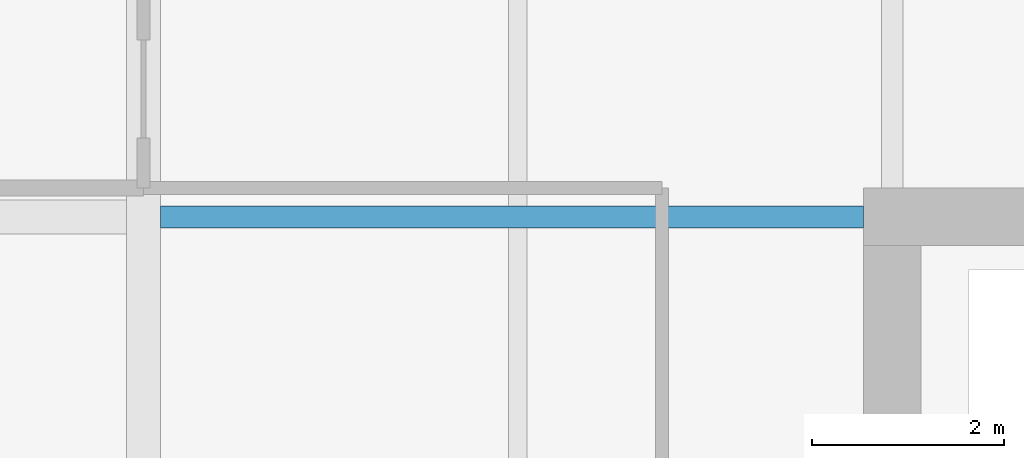
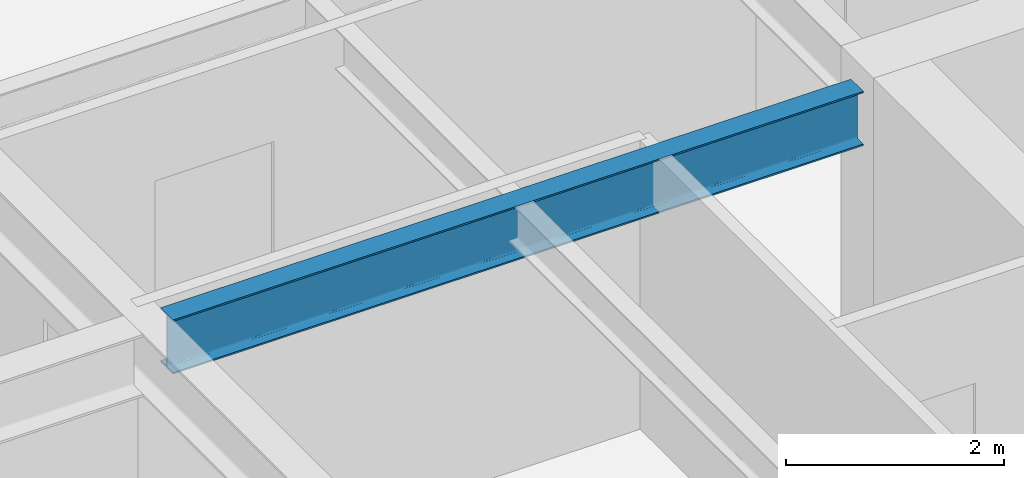
# One storey, part 17 of 35: 1 beam.
"""IFC4 building model written with IfcOpenShell, lengths in metres."""

from ifc_helpers import new_model, si_unit, direction, frame, origin, origin_2d, place, context, subcontext, project, spatial, i_section, extrude, material, material_profile, profile_set, type_object, element, save


model = new_model("IFC4")

# Units and contexts
model_context = context("Model", 3, precision=1e-05, world=origin(), true_north=direction((0.0, 1.0)))
body_context = subcontext(model_context, "Body", "Model", "MODEL_VIEW")
ifc_project = project(units=[si_unit("LENGTHUNIT", "METRE"), si_unit("AREAUNIT", "SQUARE_METRE"), si_unit("VOLUMEUNIT", "CUBIC_METRE"), si_unit("PLANEANGLEUNIT", "RADIAN"), si_unit("MASSUNIT", "GRAM", prefix="KILO")], contexts=[model_context])

# Site, building, storey
site_placement = place(None, origin())
site = spatial("IfcSite", under=ifc_project, at=site_placement, CompositionType="ELEMENT")
building_placement = place(site_placement, origin())
building = spatial("IfcBuilding", under=site, at=building_placement, Name="Drelvath Grand Hotel", CompositionType="ELEMENT")
storey_placement = place(building_placement, frame((0.0, 0.0, 130.300048828125)))
storey = spatial("IfcBuildingStorey", under=building, at=storey_placement, Name="L33", CompositionType="ELEMENT", Elevation=130.300048828125)

# Beam
ifc_material = material(Name="Steel ASTM A992 Gr 50", Category="steel")
ifc_material_profile = material_profile(ifc_material, i_section(OverallWidth=0.228271484375, OverallDepth=0.607666015625, WebThickness=0.01123046875, FlangeThickness=0.017333984375, FilletRadius=0.02001953125, at=origin_2d()), Name="W24X76")
ifc_profile_set = profile_set([ifc_material_profile], Name="Steel ASTM A992 Gr 50")
beam_type = type_object("IfcBeamType", Name="Primary Floor Girder W24X76", PredefinedType="BEAM", material=ifc_profile_set)
beam_placement = place(storey_placement, frame((-16.022705078125, 35.39990234375, 2.93603515625), z_axis=(1.0, 0.0, 0.0), x_axis=(0.0, 1.0, 0.0)))
element("IfcBeam", 1, at=beam_placement, inside=storey, type_object=beam_type, Name="L33 West Core Tie F", PredefinedType="BEAM", context=body_context, shape_type="SweptSolid", body=[
    extrude(i_section(OverallWidth=0.228271484375, OverallDepth=0.607666015625, WebThickness=0.01123046875, FlangeThickness=0.017333984375, FilletRadius=0.02001953125, at=origin_2d()), origin(), (0.0, 0.0, 1.0), 7.32275390625),
])

save(model, "model.ifc")
